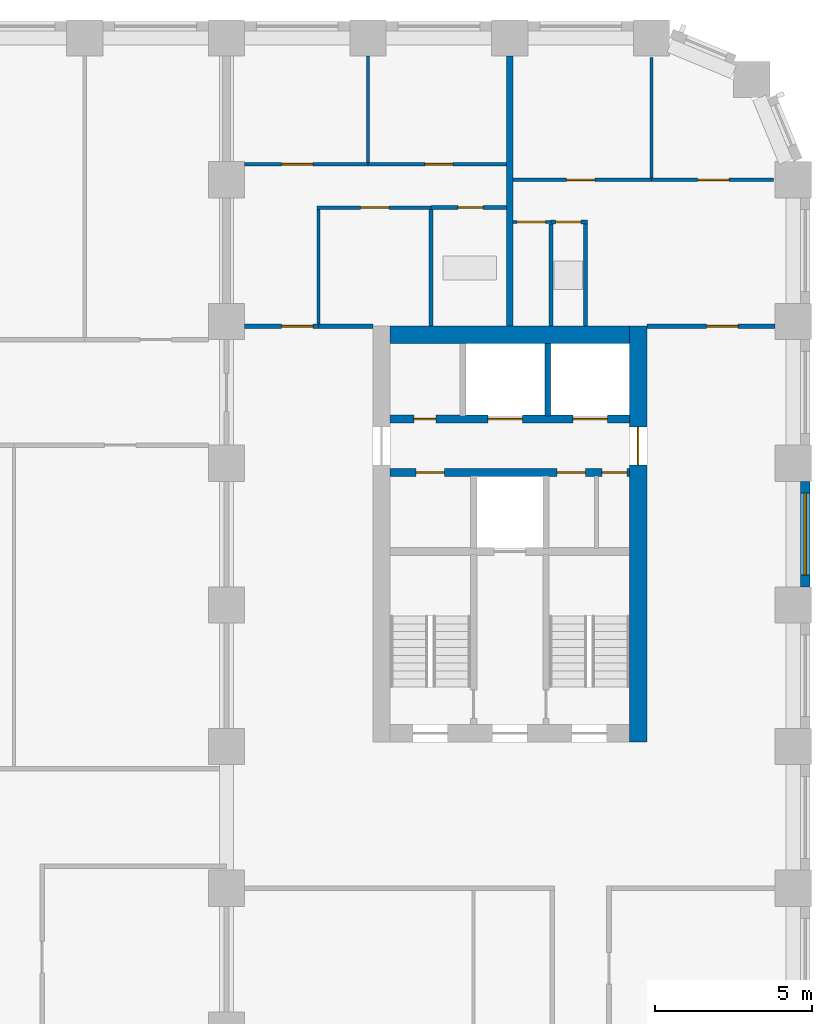
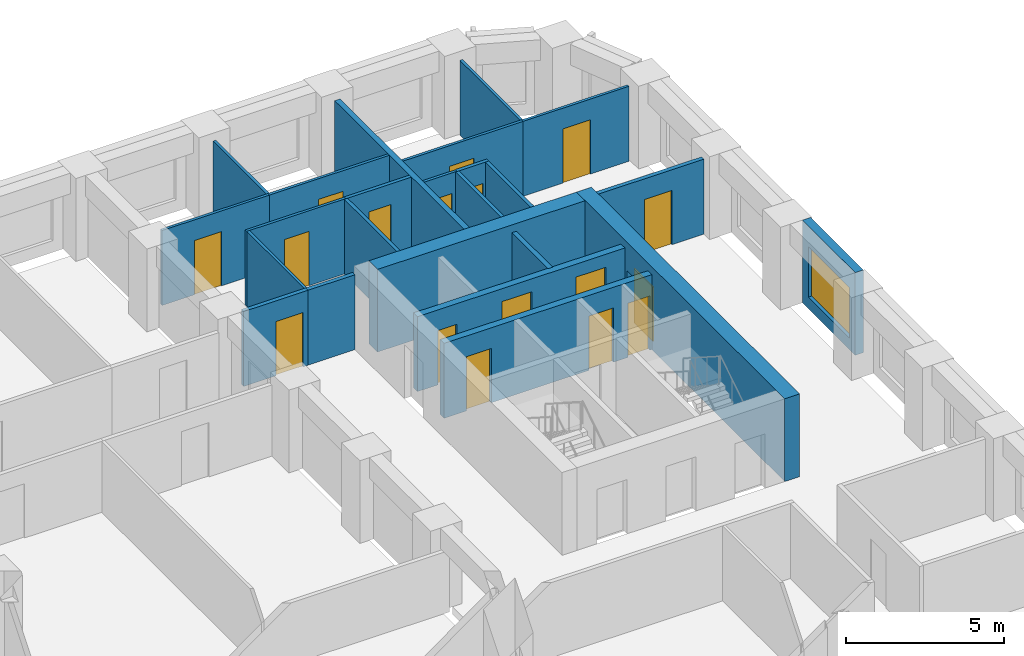
# One storey, part 8 of 12: 24 walls, 17 doors, 1 window, 18 openings.
"""IFC4 building model written with IfcOpenShell, lengths in metres."""

from ifc_helpers import new_model, si_unit, direction, frame, frame_2d, origin, place, context, subcontext, project, spatial, rectangle, extrude, material, layer, layer_set, type_object, element, fill, save


model = new_model("IFC4")

# Units and contexts
model_context = context("Model", 3, precision=1e-05, world=origin(), true_north=direction((0.0, 1.0)))
body_context = subcontext(model_context, "Body", "Model", "MODEL_VIEW")
ifc_project = project(units=[si_unit("LENGTHUNIT", "METRE"), si_unit("AREAUNIT", "SQUARE_METRE"), si_unit("VOLUMEUNIT", "CUBIC_METRE"), si_unit("PLANEANGLEUNIT", "RADIAN"), si_unit("MASSUNIT", "GRAM", prefix="KILO")], contexts=[model_context])

# Site, building, storey
site_placement = place(None, origin())
site = spatial("IfcSite", under=ifc_project, at=site_placement, CompositionType="ELEMENT")
building_placement = place(site_placement, origin())
building = spatial("IfcBuilding", under=site, at=building_placement, Name="Girih Gate Residences", CompositionType="ELEMENT")
storey_placement = place(building_placement, frame((0.0, 0.0, 118.39990234375)))
storey = spatial("IfcBuildingStorey", under=building, at=storey_placement, Name="L33", CompositionType="ELEMENT", Elevation=118.39990234375)

# Wall, opening, door
ifc_material_1 = material(Name="Gypsum board on steel studs", Category="steel")
ifc_layer_1 = layer(ifc_material_1, 0.14990234375)
ifc_layer_set_1 = layer_set([ifc_layer_1], Name="Compartment wall 150 mm")
wall_type_1 = type_object("IfcWallType", Name="Compartment wall 150 mm", PredefinedType="PARTITIONING", material=ifc_layer_set_1)
wall_1_placement = place(storey_placement, frame((44.85009765625, 40.35009765625, 0.0), z_axis=(0.0, 0.0, 1.0), x_axis=(1.0, 0.0, 0.0)))
wall_1 = element("IfcWall", 1, at=wall_1_placement, inside=storey, type_object=wall_type_1, Name="L33 partition", PredefinedType="PARTITIONING", context=body_context, shape_type="SweptSolid", body=[
    extrude(rectangle(XDim=4.074951171875, YDim=0.14990234375, at=frame_2d((2.03759765625, 0.0))), origin(), (0.0, 0.0, 1.0), 2.900146484375),
])
opening_1_placement = place(wall_1_placement, frame((1.89990234375, 0.0, 0.0)))
opening_1 = element("IfcOpeningElement", 2, at=opening_1_placement, cuts=wall_1, Name="Opening A33-028", PredefinedType="OPENING", context=body_context, shape_type="SweptSolid", body=[
    extrude(rectangle(XDim=1.0, YDim=2.10009765625, at=frame_2d((0.5, 1.050048828125))), frame((0.0, 0.0849609375, 0.0), z_axis=(0.0, -1.0, 0.0), x_axis=(1.0, 0.0, 0.0)), (0.0, 0.0, 1.0), 0.169921875),
])
ifc_material_2 = material(Name="Timber, fire-rated core", Category="wood")
door_type_1 = type_object("IfcDoorType", Name="Flat entrance door 1000x2100 FD30S", OperationType="NOTDEFINED", PredefinedType="DOOR", material=ifc_material_2)
door_1_placement = place(opening_1_placement, origin())
door_1 = element("IfcDoor", 3, at=door_1_placement, inside=storey, type_object=door_type_1, Name="Door A33-028", OperationType="SINGLE_SWING_RIGHT", OverallHeight=2.10009765625, OverallWidth=1.0, PredefinedType="DOOR", context=body_context, shape_type="SweptSolid", body=[
    extrude(rectangle(XDim=1.0, YDim=2.10009765625, at=frame_2d((0.5, 1.050048828125))), frame((0.0, 0.02490234375, 0.0), z_axis=(0.0, -1.0, 0.0), x_axis=(1.0, 0.0, 0.0)), (0.0, 0.0, 1.0), 0.050048828125),
])
fill(opening_1, door_1)

wall_2_placement = place(storey_placement, frame((32.074951171875, 40.35009765625, 0.0), z_axis=(0.0, 0.0, 1.0), x_axis=(1.0, 0.0, 0.0)))
wall_2 = element("IfcWall", 4, at=wall_2_placement, inside=storey, type_object=wall_type_1, Name="L33 partition", PredefinedType="PARTITIONING", context=body_context, shape_type="SweptSolid", body=[
    extrude(rectangle(XDim=2.35009765625, YDim=0.14990234375, at=frame_2d((1.175048828125, 0.0))), origin(), (0.0, 0.0, 1.0), 2.900146484375),
])
opening_2_placement = place(wall_2_placement, frame((1.175048828125, 0.0, 0.0)))
opening_2 = element("IfcOpeningElement", 5, at=opening_2_placement, cuts=wall_2, Name="Opening A33-033", PredefinedType="OPENING", context=body_context, shape_type="SweptSolid", body=[
    extrude(rectangle(XDim=1.0, YDim=2.10009765625, at=frame_2d((0.5, 1.050048828125))), frame((0.0, 0.0849609375, 0.0), z_axis=(0.0, -1.0, 0.0), x_axis=(1.0, 0.0, 0.0)), (0.0, 0.0, 1.0), 0.169921875),
])
door_2_placement = place(opening_2_placement, origin())
door_2 = element("IfcDoor", 6, at=door_2_placement, inside=storey, type_object=door_type_1, Name="Door A33-033", OperationType="SINGLE_SWING_RIGHT", OverallHeight=2.10009765625, OverallWidth=1.0, PredefinedType="DOOR", context=body_context, shape_type="SweptSolid", body=[
    extrude(rectangle(XDim=1.0, YDim=2.10009765625, at=frame_2d((0.5, 1.050048828125))), frame((0.0, 0.02490234375, 0.0), z_axis=(0.0, -1.0, 0.0), x_axis=(1.0, 0.0, 0.0)), (0.0, 0.0, 1.0), 0.050048828125),
])
fill(opening_2, door_2)

# Walls
wall_3_placement = place(storey_placement, frame((34.425048828125, 40.35009765625, 0.0), z_axis=(0.0, 0.0, 1.0), x_axis=(1.0, 0.0, 0.0)))
element("IfcWall", 7, at=wall_3_placement, inside=storey, type_object=wall_type_1, Name="L33 partition", PredefinedType="PARTITIONING", context=body_context, shape_type="SweptSolid", body=[
    extrude(rectangle(XDim=1.724853515625, YDim=0.14990234375, at=frame_2d((0.8623046875, 0.0))), origin(), (0.0, 0.0, 1.0), 2.900146484375),
])
ifc_material_3 = material(Name="Concrete C60/75", Category="concrete")
ifc_layer_2 = layer(ifc_material_3, 0.550048828125)
ifc_layer_set_2 = layer_set([ifc_layer_2], Name="Core wall RC 550 Concrete C60/75")
wall_type_2 = type_object("IfcWallType", Name="Core wall RC 550 Concrete C60/75", PredefinedType="SOLIDWALL", material=ifc_layer_set_2)
wall_4_placement = place(storey_placement, frame((36.699951171875, 40.074951171875, 0.0), z_axis=(0.0, 0.0, 1.0), x_axis=(1.0, 0.0, 0.0)))
element("IfcWall", 8, at=wall_4_placement, inside=storey, type_object=wall_type_2, Name="Core wall E-N L33", PredefinedType="SOLIDWALL", context=body_context, shape_type="SweptSolid", body=[
    extrude(rectangle(XDim=7.60009765625, YDim=0.550048828125, at=frame_2d((3.800048828125, 0.0))), origin(), (0.0, 0.0, 1.0), 3.2001953125),
])

# Wall, opening, door
wall_5_placement = place(storey_placement, frame((44.574951171875, 27.14990234375, 0.0), z_axis=(0.0, 0.0, 1.0), x_axis=(0.0, 1.0, 0.0)))
wall_5 = element("IfcWall", 9, at=wall_5_placement, inside=storey, type_object=wall_type_2, Name="Core wall E-E L33", PredefinedType="SOLIDWALL", context=body_context, shape_type="SweptSolid", body=[
    extrude(rectangle(XDim=13.2001953125, YDim=0.550048828125, at=frame_2d((6.60009765625, 0.0))), origin(), (0.0, 0.0, 1.0), 3.2001953125),
])
opening_3_placement = place(wall_5_placement, frame((8.800048828125, 0.0, 0.0)))
opening_3 = element("IfcOpeningElement", 10, at=opening_3_placement, cuts=wall_5, Name="Opening D-L33-E-014", PredefinedType="OPENING", context=body_context, shape_type="SweptSolid", body=[
    extrude(rectangle(XDim=1.199951171875, YDim=2.10009765625, at=frame_2d((0.60009765625, 1.050048828125))), frame((0.0, 0.284912109375, 0.0), z_axis=(0.0, -1.0, 0.0), x_axis=(1.0, 0.0, 0.0)), (0.0, 0.0, 1.0), 0.570068359375),
])
ifc_material_4 = material(Name="Painted steel, fire-resisting", Category="steel")
door_type_2 = type_object("IfcDoorType", Name="Fire door 1200x2100", OperationType="SINGLE_SWING_LEFT", PredefinedType="DOOR", material=ifc_material_4)
door_3_placement = place(opening_3_placement, origin())
door_3 = element("IfcDoor", 11, at=door_3_placement, inside=storey, type_object=door_type_2, Name="L33 E core door ll-e", OperationType="SINGLE_SWING_LEFT", OverallHeight=2.10009765625, OverallWidth=1.199951171875, PredefinedType="DOOR", context=body_context, shape_type="SweptSolid", body=[
    extrude(rectangle(XDim=1.199951171875, YDim=2.10009765625, at=frame_2d((0.60009765625, 1.050048828125))), frame((0.0, 0.02490234375, 0.0), z_axis=(0.0, -1.0, 0.0), x_axis=(1.0, 0.0, 0.0)), (0.0, 0.0, 1.0), 0.050048828125),
])
fill(opening_3, door_3)

# Wall, openings, doors
ifc_material_5 = material(Name="Concrete C40/50", Category="concrete")
ifc_layer_3 = layer(ifc_material_5, 0.25)
ifc_layer_set_3 = layer_set([ifc_layer_3], Name="Lift shaft wall 250")
wall_type_3 = type_object("IfcWallType", Name="Lift shaft wall 250", PredefinedType="SOLIDWALL", material=ifc_layer_set_3)
wall_6_placement = place(storey_placement, frame((36.699951171875, 35.699951171875, 0.0), z_axis=(0.0, 0.0, 1.0), x_axis=(1.0, 0.0, 0.0)))
wall_6 = element("IfcWall", 12, at=wall_6_placement, inside=storey, type_object=wall_type_3, Name="L33 E core wall H2", PredefinedType="SOLIDWALL", context=body_context, shape_type="SweptSolid", body=[
    extrude(rectangle(XDim=7.60009765625, YDim=0.25, at=frame_2d((3.800048828125, 0.0))), origin(), (0.0, 0.0, 1.0), 2.900146484375),
])
opening_4_placement = place(wall_6_placement, frame((6.72509765625, 0.0, 0.0)))
opening_4 = element("IfcOpeningElement", 13, at=opening_4_placement, cuts=wall_6, Name="Opening D-L33-E-007", PredefinedType="OPENING", context=body_context, shape_type="SweptSolid", body=[
    extrude(rectangle(XDim=0.800048828125, YDim=2.10009765625, at=frame_2d((0.39990234375, 1.050048828125))), frame((0.0, 0.135009765625, 0.0), z_axis=(0.0, -1.0, 0.0), x_axis=(1.0, 0.0, 0.0)), (0.0, 0.0, 1.0), 0.27001953125),
])
opening_5_placement = place(wall_6_placement, frame((5.300048828125, 0.0, 0.0)))
opening_5 = element("IfcOpeningElement", 14, at=opening_5_placement, cuts=wall_6, Name="Opening D-L33-E-008", PredefinedType="OPENING", context=body_context, shape_type="SweptSolid", body=[
    extrude(rectangle(XDim=0.89990234375, YDim=2.10009765625, at=frame_2d((0.449951171875, 1.050048828125))), frame((0.0, 0.135009765625, 0.0), z_axis=(0.0, -1.0, 0.0), x_axis=(1.0, 0.0, 0.0)), (0.0, 0.0, 1.0), 0.27001953125),
])
opening_6_placement = place(wall_6_placement, frame((0.824951171875, 0.0, 0.0)))
opening_6 = element("IfcOpeningElement", 15, at=opening_6_placement, cuts=wall_6, Name="Opening D-L33-E-009", PredefinedType="OPENING", context=body_context, shape_type="SweptSolid", body=[
    extrude(rectangle(XDim=0.89990234375, YDim=2.10009765625, at=frame_2d((0.449951171875, 1.050048828125))), frame((0.0, 0.135009765625, 0.0), z_axis=(0.0, -1.0, 0.0), x_axis=(1.0, 0.0, 0.0)), (0.0, 0.0, 1.0), 0.27001953125),
])
door_type_3 = type_object("IfcDoorType", Name="Fire door 800x2100", OperationType="SINGLE_SWING_LEFT", PredefinedType="DOOR", material=ifc_material_4)
door_4_placement = place(opening_4_placement, origin())
door_4 = element("IfcDoor", 16, at=door_4_placement, inside=storey, type_object=door_type_3, Name="L33 E pantry door", OperationType="SINGLE_SWING_LEFT", OverallHeight=2.10009765625, OverallWidth=0.800048828125, PredefinedType="DOOR", context=body_context, shape_type="SweptSolid", body=[
    extrude(rectangle(XDim=0.800048828125, YDim=2.10009765625, at=frame_2d((0.39990234375, 1.050048828125))), frame((0.0, 0.02490234375, 0.0), z_axis=(0.0, -1.0, 0.0), x_axis=(1.0, 0.0, 0.0)), (0.0, 0.0, 1.0), 0.050048828125),
])
fill(opening_4, door_4)
door_type_4 = type_object("IfcDoorType", Name="Fire door 900x2100", OperationType="SINGLE_SWING_LEFT", PredefinedType="DOOR", material=ifc_material_4)
door_5_placement = place(opening_5_placement, origin())
door_5 = element("IfcDoor", 17, at=door_5_placement, inside=storey, type_object=door_type_4, Name="L33 E housekeeping store door", OperationType="SINGLE_SWING_LEFT", OverallHeight=2.10009765625, OverallWidth=0.89990234375, PredefinedType="DOOR", context=body_context, shape_type="SweptSolid", body=[
    extrude(rectangle(XDim=0.89990234375, YDim=2.10009765625, at=frame_2d((0.449951171875, 1.050048828125))), frame((0.0, 0.02490234375, 0.0), z_axis=(0.0, -1.0, 0.0), x_axis=(1.0, 0.0, 0.0)), (0.0, 0.0, 1.0), 0.050048828125),
])
fill(opening_5, door_5)
door_6_placement = place(opening_6_placement, origin())
door_6 = element("IfcDoor", 18, at=door_6_placement, inside=storey, type_object=door_type_4, Name="L33 E comms room door", OperationType="SINGLE_SWING_LEFT", OverallHeight=2.10009765625, OverallWidth=0.89990234375, PredefinedType="DOOR", context=body_context, shape_type="SweptSolid", body=[
    extrude(rectangle(XDim=0.89990234375, YDim=2.10009765625, at=frame_2d((0.449951171875, 1.050048828125))), frame((0.0, 0.02490234375, 0.0), z_axis=(0.0, -1.0, 0.0), x_axis=(1.0, 0.0, 0.0)), (0.0, 0.0, 1.0), 0.050048828125),
])
fill(opening_6, door_6)

wall_7_placement = place(storey_placement, frame((36.699951171875, 37.39990234375, 0.0), z_axis=(0.0, 0.0, 1.0), x_axis=(1.0, 0.0, 0.0)))
wall_7 = element("IfcWall", 19, at=wall_7_placement, inside=storey, type_object=wall_type_3, Name="L33 E core wall H3", PredefinedType="SOLIDWALL", context=body_context, shape_type="SweptSolid", body=[
    extrude(rectangle(XDim=7.60009765625, YDim=0.25, at=frame_2d((3.800048828125, 0.0))), origin(), (0.0, 0.0, 1.0), 2.900146484375),
])
opening_7_placement = place(wall_7_placement, frame((5.800048828125, 0.0, 0.0)))
opening_7 = element("IfcOpeningElement", 20, at=opening_7_placement, cuts=wall_7, Name="Opening D-L33-E-003", PredefinedType="OPENING", context=body_context, shape_type="SweptSolid", body=[
    extrude(rectangle(XDim=1.10009765625, YDim=2.39990234375, at=frame_2d((0.550048828125, 1.199951171875))), frame((0.0, 0.135009765625, 0.0), z_axis=(0.0, -1.0, 0.0), x_axis=(1.0, 0.0, 0.0)), (0.0, 0.0, 1.0), 0.27001953125),
])
opening_8_placement = place(wall_7_placement, frame((3.10009765625, 0.0, 0.0)))
opening_8 = element("IfcOpeningElement", 21, at=opening_8_placement, cuts=wall_7, Name="Opening D-L33-E-004", PredefinedType="OPENING", context=body_context, shape_type="SweptSolid", body=[
    extrude(rectangle(XDim=1.10009765625, YDim=2.39990234375, at=frame_2d((0.550048828125, 1.199951171875))), frame((0.0, 0.135009765625, 0.0), z_axis=(0.0, -1.0, 0.0), x_axis=(1.0, 0.0, 0.0)), (0.0, 0.0, 1.0), 0.27001953125),
])
opening_9_placement = place(wall_7_placement, frame((0.75, 0.0, 0.0)))
opening_9 = element("IfcOpeningElement", 22, at=opening_9_placement, cuts=wall_7, Name="Opening D-L33-E-006", PredefinedType="OPENING", context=body_context, shape_type="SweptSolid", body=[
    extrude(rectangle(XDim=0.699951171875, YDim=2.10009765625, at=frame_2d((0.35009765625, 1.050048828125))), frame((0.0, 0.135009765625, 0.0), z_axis=(0.0, -1.0, 0.0), x_axis=(1.0, 0.0, 0.0)), (0.0, 0.0, 1.0), 0.27001953125),
])
ifc_material_6 = material(Name="Stainless steel", Category="steel")
door_type_5 = type_object("IfcDoorType", Name="Lift landing door 1100x2400", OperationType="SLIDING_TO_LEFT", PredefinedType="DOOR", material=ifc_material_6)
door_7_placement = place(opening_7_placement, origin())
door_7 = element("IfcDoor", 23, at=door_7_placement, inside=storey, type_object=door_type_5, Name="L33 lift LR-E1 landing door", OperationType="SLIDING_TO_LEFT", OverallHeight=2.39990234375, OverallWidth=1.10009765625, PredefinedType="DOOR", context=body_context, shape_type="SweptSolid", body=[
    extrude(rectangle(XDim=1.10009765625, YDim=2.39990234375, at=frame_2d((0.550048828125, 1.199951171875))), frame((0.0, 0.02490234375, 0.0), z_axis=(0.0, -1.0, 0.0), x_axis=(1.0, 0.0, 0.0)), (0.0, 0.0, 1.0), 0.050048828125),
])
fill(opening_7, door_7)
door_8_placement = place(opening_8_placement, origin())
door_8 = element("IfcDoor", 24, at=door_8_placement, inside=storey, type_object=door_type_5, Name="L33 lift LR-E2 landing door", OperationType="SLIDING_TO_LEFT", OverallHeight=2.39990234375, OverallWidth=1.10009765625, PredefinedType="DOOR", context=body_context, shape_type="SweptSolid", body=[
    extrude(rectangle(XDim=1.10009765625, YDim=2.39990234375, at=frame_2d((0.550048828125, 1.199951171875))), frame((0.0, 0.02490234375, 0.0), z_axis=(0.0, -1.0, 0.0), x_axis=(1.0, 0.0, 0.0)), (0.0, 0.0, 1.0), 0.050048828125),
])
fill(opening_8, door_8)
door_type_6 = type_object("IfcDoorType", Name="Riser access door 700x2100", OperationType="SINGLE_SWING_LEFT", PredefinedType="DOOR", material=ifc_material_4)
door_9_placement = place(opening_9_placement, origin())
door_9 = element("IfcDoor", 25, at=door_9_placement, inside=storey, type_object=door_type_6, Name="L33 E riser room door", OperationType="SINGLE_SWING_LEFT", OverallHeight=2.10009765625, OverallWidth=0.699951171875, PredefinedType="DOOR", context=body_context, shape_type="SweptSolid", body=[
    extrude(rectangle(XDim=0.699951171875, YDim=2.10009765625, at=frame_2d((0.35009765625, 1.050048828125))), frame((0.0, 0.02490234375, 0.0), z_axis=(0.0, -1.0, 0.0), x_axis=(1.0, 0.0, 0.0)), (0.0, 0.0, 1.0), 0.050048828125),
])
fill(opening_9, door_9)

# Wall, opening, door
ifc_layer_4 = layer(ifc_material_1, 0.10009765625)
ifc_layer_set_4 = layer_set([ifc_layer_4], Name="Partition 100 mm")
wall_type_4 = type_object("IfcWallType", Name="Partition 100 mm", PredefinedType="PARTITIONING", material=ifc_layer_set_4)
wall_8_placement = place(storey_placement, frame((40.60009765625, 45.0, 0.0), z_axis=(0.0, 0.0, 1.0), x_axis=(1.0, 0.0, 0.0)))
wall_8 = element("IfcWall", 26, at=wall_8_placement, inside=storey, type_object=wall_type_4, Name="L33 partition", PredefinedType="PARTITIONING", context=body_context, shape_type="SweptSolid", body=[
    extrude(rectangle(XDim=4.39990234375, YDim=0.10009765625, at=frame_2d((2.199951171875, 0.0))), origin(), (0.0, 0.0, 1.0), 2.900146484375),
])
opening_10_placement = place(wall_8_placement, frame((1.699951171875, 0.0, 0.0)))
opening_10 = element("IfcOpeningElement", 27, at=opening_10_placement, cuts=wall_8, Name="Opening A33-025", PredefinedType="OPENING", context=body_context, shape_type="SweptSolid", body=[
    extrude(rectangle(XDim=0.89990234375, YDim=2.10009765625, at=frame_2d((0.449951171875, 1.050048828125))), frame((0.0, 0.06005859375, 0.0), z_axis=(0.0, -1.0, 0.0), x_axis=(1.0, 0.0, 0.0)), (0.0, 0.0, 1.0), 0.1201171875),
])
ifc_material_7 = material(Name="Timber", Category="wood")
door_type_7 = type_object("IfcDoorType", Name="Bedroom door 900x2100", OperationType="NOTDEFINED", PredefinedType="DOOR", material=ifc_material_7)
door_10_placement = place(opening_10_placement, origin())
door_10 = element("IfcDoor", 28, at=door_10_placement, inside=storey, type_object=door_type_7, Name="Door A33-025", OperationType="SINGLE_SWING_LEFT", OverallHeight=2.10009765625, OverallWidth=0.89990234375, PredefinedType="DOOR", context=body_context, shape_type="SweptSolid", body=[
    extrude(rectangle(XDim=0.89990234375, YDim=2.10009765625, at=frame_2d((0.449951171875, 1.050048828125))), frame((0.0, 0.02490234375, 0.0), z_axis=(0.0, -1.0, 0.0), x_axis=(1.0, 0.0, 0.0)), (0.0, 0.0, 1.0), 0.050048828125),
])
fill(opening_10, door_10)

# Wall
wall_9_placement = place(storey_placement, frame((45.0, 45.050048828125, 0.0), z_axis=(0.0, 0.0, 1.0), x_axis=(0.0, 1.0, 0.0)))
element("IfcWall", 29, at=wall_9_placement, inside=storey, type_object=wall_type_4, Name="L33 partition", PredefinedType="PARTITIONING", context=body_context, shape_type="SweptSolid", body=[
    extrude(rectangle(XDim=3.82763671875, YDim=0.10009765625, at=frame_2d((1.913818359375, 0.0))), origin(), (0.0, 0.0, 1.0), 2.900146484375),
])

# Wall, opening, door
wall_10_placement = place(storey_placement, frame((41.80908203125, 43.659912109375, 0.0), z_axis=(0.0, 0.0, 1.0), x_axis=(-1.0, 0.0, 0.0)))
wall_10 = element("IfcWall", 30, at=wall_10_placement, inside=storey, type_object=wall_type_4, Name="L33 partition", PredefinedType="PARTITIONING", context=body_context, shape_type="SweptSolid", body=[
    extrude(rectangle(XDim=1.208984375, YDim=0.10009765625, at=frame_2d((0.6044921875, 0.0))), origin(), (0.0, 0.0, 1.0), 2.900146484375),
])
opening_11_placement = place(wall_10_placement, frame((0.17919921875, 0.0, 0.0)))
opening_11 = element("IfcOpeningElement", 31, at=opening_11_placement, cuts=wall_10, Name="Opening A33-026", PredefinedType="OPENING", context=body_context, shape_type="SweptSolid", body=[
    extrude(rectangle(XDim=0.89990234375, YDim=2.10009765625, at=frame_2d((0.449951171875, 1.050048828125))), frame((0.0, 0.06005859375, 0.0), z_axis=(0.0, -1.0, 0.0), x_axis=(1.0, 0.0, 0.0)), (0.0, 0.0, 1.0), 0.1201171875),
])
door_type_8 = type_object("IfcDoorType", Name="Kitchen door 900x2100", OperationType="NOTDEFINED", PredefinedType="DOOR", material=ifc_material_7)
door_11_placement = place(opening_11_placement, origin())
door_11 = element("IfcDoor", 32, at=door_11_placement, inside=storey, type_object=door_type_8, Name="Door A33-026", OperationType="SINGLE_SWING_RIGHT", OverallHeight=2.10009765625, OverallWidth=0.89990234375, PredefinedType="DOOR", context=body_context, shape_type="SweptSolid", body=[
    extrude(rectangle(XDim=0.89990234375, YDim=2.10009765625, at=frame_2d((0.449951171875, 1.050048828125))), frame((0.0, 0.02490234375, 0.0), z_axis=(0.0, -1.0, 0.0), x_axis=(1.0, 0.0, 0.0)), (0.0, 0.0, 1.0), 0.050048828125),
])
fill(opening_11, door_11)

wall_11_placement = place(storey_placement, frame((45.0, 45.0, 0.0), z_axis=(0.0, 0.0, 1.0), x_axis=(1.0, 0.0, 0.0)))
wall_11 = element("IfcWall", 33, at=wall_11_placement, inside=storey, type_object=wall_type_4, Name="L33 partition", PredefinedType="PARTITIONING", context=body_context, shape_type="SweptSolid", body=[
    extrude(rectangle(XDim=3.877685546875, YDim=0.10009765625, at=frame_2d((1.93896484375, 0.0))), origin(), (0.0, 0.0, 1.0), 2.900146484375),
])
opening_12_placement = place(wall_11_placement, frame((1.46240234375, 0.0, 0.0)))
opening_12 = element("IfcOpeningElement", 34, at=opening_12_placement, cuts=wall_11, Name="Opening A33-027", PredefinedType="OPENING", context=body_context, shape_type="SweptSolid", body=[
    extrude(rectangle(XDim=1.0, YDim=2.10009765625, at=frame_2d((0.5, 1.050048828125))), frame((0.0, 0.06005859375, 0.0), z_axis=(0.0, -1.0, 0.0), x_axis=(1.0, 0.0, 0.0)), (0.0, 0.0, 1.0), 0.1201171875),
])
door_type_9 = type_object("IfcDoorType", Name="Living room door 1000x2100", OperationType="NOTDEFINED", PredefinedType="DOOR", material=ifc_material_7)
door_12_placement = place(opening_12_placement, origin())
door_12 = element("IfcDoor", 35, at=door_12_placement, inside=storey, type_object=door_type_9, Name="Door A33-027", OperationType="SINGLE_SWING_RIGHT", OverallHeight=2.10009765625, OverallWidth=1.0, PredefinedType="DOOR", context=body_context, shape_type="SweptSolid", body=[
    extrude(rectangle(XDim=1.0, YDim=2.10009765625, at=frame_2d((0.5, 1.050048828125))), frame((0.0, 0.02490234375, 0.0), z_axis=(0.0, -1.0, 0.0), x_axis=(1.0, 0.0, 0.0)), (0.0, 0.0, 1.0), 0.050048828125),
])
fill(opening_12, door_12)

wall_12_placement = place(storey_placement, frame((36.0, 45.4951171875, 0.0), z_axis=(0.0, 0.0, 1.0), x_axis=(1.0, 0.0, 0.0)))
wall_12 = element("IfcWall", 36, at=wall_12_placement, inside=storey, type_object=wall_type_4, Name="L33 partition", PredefinedType="PARTITIONING", context=body_context, shape_type="SweptSolid", body=[
    extrude(rectangle(XDim=4.39990234375, YDim=0.10009765625, at=frame_2d((2.199951171875, 0.0))), origin(), (0.0, 0.0, 1.0), 2.900146484375),
])
opening_13_placement = place(wall_12_placement, frame((1.800048828125, 0.0, 0.0)))
opening_13 = element("IfcOpeningElement", 37, at=opening_13_placement, cuts=wall_12, Name="Opening A33-030", PredefinedType="OPENING", context=body_context, shape_type="SweptSolid", body=[
    extrude(rectangle(XDim=0.89990234375, YDim=2.10009765625, at=frame_2d((0.449951171875, 1.050048828125))), frame((0.0, 0.06005859375, 0.0), z_axis=(0.0, -1.0, 0.0), x_axis=(1.0, 0.0, 0.0)), (0.0, 0.0, 1.0), 0.1201171875),
])
door_13_placement = place(opening_13_placement, origin())
door_13 = element("IfcDoor", 38, at=door_13_placement, inside=storey, type_object=door_type_7, Name="Door A33-030", OperationType="SINGLE_SWING_RIGHT", OverallHeight=2.10009765625, OverallWidth=0.89990234375, PredefinedType="DOOR", context=body_context, shape_type="SweptSolid", body=[
    extrude(rectangle(XDim=0.89990234375, YDim=2.10009765625, at=frame_2d((0.449951171875, 1.050048828125))), frame((0.0, 0.02490234375, 0.0), z_axis=(0.0, -1.0, 0.0), x_axis=(1.0, 0.0, 0.0)), (0.0, 0.0, 1.0), 0.050048828125),
])
fill(opening_13, door_13)

# Wall
wall_13_placement = place(storey_placement, frame((36.0, 45.544921875, 0.0), z_axis=(0.0, 0.0, 1.0), x_axis=(0.0, 1.0, 0.0)))
element("IfcWall", 39, at=wall_13_placement, inside=storey, type_object=wall_type_4, Name="L33 partition", PredefinedType="PARTITIONING", context=body_context, shape_type="SweptSolid", body=[
    extrude(rectangle(XDim=3.380126953125, YDim=0.10009765625, at=frame_2d((1.68994140625, 0.0))), origin(), (0.0, 0.0, 1.0), 2.900146484375),
])

# Wall, opening, door
wall_14_placement = place(storey_placement, frame((37.99951171875, 44.114990234375, 0.0), z_axis=(0.0, 0.0, 1.0), x_axis=(-1.0, 0.0, 0.0)))
wall_14 = element("IfcWall", 40, at=wall_14_placement, inside=storey, type_object=wall_type_4, Name="L33 partition", PredefinedType="PARTITIONING", context=body_context, shape_type="SweptSolid", body=[
    extrude(rectangle(XDim=3.62451171875, YDim=0.10009765625, at=frame_2d((1.812255859375, 0.0))), origin(), (0.0, 0.0, 1.0), 2.900146484375),
])
opening_14_placement = place(wall_14_placement, frame((1.33740234375, 0.0, 0.0)))
opening_14 = element("IfcOpeningElement", 41, at=opening_14_placement, cuts=wall_14, Name="Opening A33-031", PredefinedType="OPENING", context=body_context, shape_type="SweptSolid", body=[
    extrude(rectangle(XDim=0.89990234375, YDim=2.10009765625, at=frame_2d((0.449951171875, 1.050048828125))), frame((0.0, 0.06005859375, 0.0), z_axis=(0.0, -1.0, 0.0), x_axis=(1.0, 0.0, 0.0)), (0.0, 0.0, 1.0), 0.1201171875),
])
door_14_placement = place(opening_14_placement, origin())
door_14 = element("IfcDoor", 42, at=door_14_placement, inside=storey, type_object=door_type_8, Name="Door A33-031", OperationType="SINGLE_SWING_LEFT", OverallHeight=2.10009765625, OverallWidth=0.89990234375, PredefinedType="DOOR", context=body_context, shape_type="SweptSolid", body=[
    extrude(rectangle(XDim=0.89990234375, YDim=2.10009765625, at=frame_2d((0.449951171875, 1.050048828125))), frame((0.0, 0.02490234375, 0.0), z_axis=(0.0, -1.0, 0.0), x_axis=(1.0, 0.0, 0.0)), (0.0, 0.0, 1.0), 0.050048828125),
])
fill(opening_14, door_14)

# Wall
wall_15_placement = place(storey_placement, frame((34.425048828125, 40.425048828125, 0.0), z_axis=(0.0, 0.0, 1.0), x_axis=(0.0, 1.0, 0.0)))
element("IfcWall", 43, at=wall_15_placement, inside=storey, type_object=wall_type_4, Name="L33 partition", PredefinedType="PARTITIONING", context=body_context, shape_type="SweptSolid", body=[
    extrude(rectangle(XDim=3.639892578125, YDim=0.10009765625, at=frame_2d((1.81982421875, 0.0))), origin(), (0.0, 0.0, 1.0), 2.900146484375),
])

# Wall, opening, door
wall_16_placement = place(storey_placement, frame((32.074951171875, 45.4951171875, 0.0), z_axis=(0.0, 0.0, 1.0), x_axis=(1.0, 0.0, 0.0)))
wall_16 = element("IfcWall", 44, at=wall_16_placement, inside=storey, type_object=wall_type_4, Name="L33 partition", PredefinedType="PARTITIONING", context=body_context, shape_type="SweptSolid", body=[
    extrude(rectangle(XDim=3.925048828125, YDim=0.10009765625, at=frame_2d((1.96240234375, 0.0))), origin(), (0.0, 0.0, 1.0), 2.900146484375),
])
opening_15_placement = place(wall_16_placement, frame((1.175048828125, 0.0, 0.0)))
opening_15 = element("IfcOpeningElement", 45, at=opening_15_placement, cuts=wall_16, Name="Opening A33-032", PredefinedType="OPENING", context=body_context, shape_type="SweptSolid", body=[
    extrude(rectangle(XDim=1.0, YDim=2.10009765625, at=frame_2d((0.5, 1.050048828125))), frame((0.0, 0.06005859375, 0.0), z_axis=(0.0, -1.0, 0.0), x_axis=(1.0, 0.0, 0.0)), (0.0, 0.0, 1.0), 0.1201171875),
])
door_15_placement = place(opening_15_placement, origin())
door_15 = element("IfcDoor", 46, at=door_15_placement, inside=storey, type_object=door_type_9, Name="Door A33-032", OperationType="SINGLE_SWING_LEFT", OverallHeight=2.10009765625, OverallWidth=1.0, PredefinedType="DOOR", context=body_context, shape_type="SweptSolid", body=[
    extrude(rectangle(XDim=1.0, YDim=2.10009765625, at=frame_2d((0.5, 1.050048828125))), frame((0.0, 0.02490234375, 0.0), z_axis=(0.0, -1.0, 0.0), x_axis=(1.0, 0.0, 0.0)), (0.0, 0.0, 1.0), 0.050048828125),
])
fill(opening_15, door_15)

# Wall
ifc_layer_5 = layer(ifc_material_1, 0.199951171875)
ifc_layer_set_5 = layer_set([ifc_layer_5], Name="Party wall 200 mm")
wall_type_5 = type_object("IfcWallType", Name="Party wall 200 mm", PredefinedType="PARTITIONING", material=ifc_layer_set_5)
wall_17_placement = place(storey_placement, frame((40.5, 40.35009765625, 0.0), z_axis=(0.0, 0.0, 1.0), x_axis=(0.0, 1.0, 0.0)))
element("IfcWall", 47, at=wall_17_placement, inside=storey, type_object=wall_type_5, Name="L33 partition", PredefinedType="PARTITIONING", context=body_context, shape_type="SweptSolid", body=[
    extrude(rectangle(XDim=8.574951171875, YDim=0.199951171875, at=frame_2d((4.28759765625, 0.0))), origin(), (0.0, 0.0, 1.0), 2.900146484375),
])

# Wall, opening, window
ifc_material_8 = material(Name="Precast concrete C50/60", Category="concrete")
ifc_layer_6 = layer(ifc_material_8, 0.080078125, Name="Outer leaf")
ifc_material_9 = material(Name="Rigid PIR insulation")
ifc_layer_7 = layer(ifc_material_9, 0.14990234375, Name="Insulation")
ifc_material_10 = material(Name="Precast concrete C40/50", Category="concrete")
ifc_layer_8 = layer(ifc_material_10, 0.070068359375, Name="Inner leaf")
ifc_layer_set_6 = layer_set([ifc_layer_6, ifc_layer_7, ifc_layer_8], Name="Precast concrete C50/60 external wall 300")
wall_type_6 = type_object("IfcWallType", Name="Precast concrete C50/60 external wall 300", PredefinedType="SOLIDWALL", material=ifc_layer_set_6)
wall_18_placement = place(storey_placement, frame((49.875, 35.425048828125, 0.0), z_axis=(0.0, 0.0, 1.0), x_axis=(0.0, -1.0, 0.0)))
wall_18 = element("IfcWall", 48, at=wall_18_placement, inside=storey, type_object=wall_type_6, Name="External wall E0495_0045.6", PredefinedType="SOLIDWALL", context=body_context, shape_type="SweptSolid", body=[
    extrude(rectangle(XDim=3.35009765625, YDim=0.300048828125, at=frame_2d((1.675048828125, 0.0))), origin(), (0.0, 0.0, 1.0), 3.2001953125),
])
opening_16_placement = place(wall_18_placement, frame((0.375, 0.0, 0.449951171875)))
opening_16 = element("IfcOpeningElement", 49, at=opening_16_placement, cuts=wall_18, Name="Opening W-1A", PredefinedType="OPENING", context=body_context, shape_type="SweptSolid", body=[
    extrude(rectangle(XDim=2.60009765625, YDim=1.949951171875, at=frame_2d((1.300048828125, 0.97509765625))), frame((0.0, 0.159912109375, 0.0), z_axis=(0.0, -1.0, 0.0), x_axis=(1.0, 0.0, 0.0)), (0.0, 0.0, 1.0), 0.320068359375),
])
ifc_material_11 = material(Name="Double glazing in aluminium frame", Category="aluminium")
window_type = type_object("IfcWindowType", Name="Window W-1A 2600x1950", PartitioningType="SINGLE_PANEL", PredefinedType="WINDOW", material=ifc_material_11)
window_placement = place(opening_16_placement, origin())
window = element("IfcWindow", 50, at=window_placement, inside=storey, type_object=window_type, Name="Window W-1A E0495_0045.6", OverallHeight=1.949951171875, OverallWidth=2.60009765625, PartitioningType="SINGLE_PANEL", PredefinedType="WINDOW", context=body_context, shape_type="SweptSolid", body=[
    extrude(rectangle(XDim=2.60009765625, YDim=1.949951171875, at=frame_2d((1.300048828125, 0.97509765625))), frame((0.0, 0.030029296875, 0.0), z_axis=(0.0, -1.0, 0.0), x_axis=(1.0, 0.0, 0.0)), (0.0, 0.0, 1.0), 0.06005859375),
])
fill(opening_16, window)

# Wall
ifc_layer_9 = layer(ifc_material_5, 0.175048828125)
ifc_layer_set_7 = layer_set([ifc_layer_9], Name="Riser shaft wall 175")
wall_type_7 = type_object("IfcWallType", Name="Riser shaft wall 175", PredefinedType="SOLIDWALL", material=ifc_layer_set_7)
wall_19_placement = place(storey_placement, frame((41.699951171875, 37.5, 0.0), z_axis=(0.0, 0.0, 1.0), x_axis=(0.0, 1.0, 0.0)))
element("IfcWall", 51, at=wall_19_placement, inside=storey, type_object=wall_type_7, Name="L33 E core wall V1c", PredefinedType="SOLIDWALL", context=body_context, shape_type="SweptSolid", body=[
    extrude(rectangle(XDim=2.300048828125, YDim=0.175048828125, at=frame_2d((1.14990234375, 0.0))), origin(), (0.0, 0.0, 1.0), 2.900146484375),
])

# Wall, opening, door
ifc_layer_10 = layer(ifc_material_1, 0.125)
ifc_layer_set_8 = layer_set([ifc_layer_10], Name="Wet room wall 125 mm")
wall_type_8 = type_object("IfcWallType", Name="Wet room wall 125 mm", PredefinedType="PARTITIONING", material=ifc_layer_set_8)
wall_20_placement = place(storey_placement, frame((42.96240234375, 43.659912109375, 0.0), z_axis=(0.0, 0.0, 1.0), x_axis=(-1.0, 0.0, 0.0)))
wall_20 = element("IfcWall", 52, at=wall_20_placement, inside=storey, type_object=wall_type_8, Name="L33 partition", PredefinedType="PARTITIONING", context=body_context, shape_type="SweptSolid", body=[
    extrude(rectangle(XDim=1.1533203125, YDim=0.125, at=frame_2d((0.57666015625, 0.0))), origin(), (0.0, 0.0, 1.0), 2.900146484375),
])
opening_17_placement = place(wall_20_placement, frame((0.2080078125, 0.0, 0.0)))
opening_17 = element("IfcOpeningElement", 53, at=opening_17_placement, cuts=wall_20, Name="Opening A33-024", PredefinedType="OPENING", context=body_context, shape_type="SweptSolid", body=[
    extrude(rectangle(XDim=0.800048828125, YDim=2.10009765625, at=frame_2d((0.39990234375, 1.050048828125))), frame((0.0, 0.072509765625, 0.0), z_axis=(0.0, -1.0, 0.0), x_axis=(1.0, 0.0, 0.0)), (0.0, 0.0, 1.0), 0.14501953125),
])
door_type_10 = type_object("IfcDoorType", Name="Bathroom door 800x2100", OperationType="NOTDEFINED", PredefinedType="DOOR", material=ifc_material_7)
door_16_placement = place(opening_17_placement, origin())
door_16 = element("IfcDoor", 54, at=door_16_placement, inside=storey, type_object=door_type_10, Name="Door A33-024", OperationType="SINGLE_SWING_RIGHT", OverallHeight=2.10009765625, OverallWidth=0.800048828125, PredefinedType="DOOR", context=body_context, shape_type="SweptSolid", body=[
    extrude(rectangle(XDim=0.800048828125, YDim=2.10009765625, at=frame_2d((0.39990234375, 1.050048828125))), frame((0.0, 0.02490234375, 0.0), z_axis=(0.0, -1.0, 0.0), x_axis=(1.0, 0.0, 0.0)), (0.0, 0.0, 1.0), 0.050048828125),
])
fill(opening_17, door_16)

# Walls
for number, where, z_axis, x_axis, name in (
    (55, (42.89990234375, 40.35009765625, 0.0), (0.0, 0.0, 1.0), (0.0, 1.0, 0.0), "L33 partition"),
    (56, (41.80908203125, 40.35009765625, 0.0), (0.0, 0.0, 1.0), (0.0, 1.0, 0.0), "L33 partition"),
):
    element("IfcWall", number, at=place(storey_placement, frame(where, z_axis=z_axis, x_axis=x_axis)), inside=storey, type_object=wall_type_8, Name=name, PredefinedType="PARTITIONING", context=body_context, shape_type="SweptSolid", body=[
        extrude(rectangle(XDim=3.247314453125, YDim=0.125, at=frame_2d((1.62353515625, 0.0))), origin(), (0.0, 0.0, 1.0), 2.900146484375),
    ])

# Wall, opening, door
wall_21_placement = place(storey_placement, frame((40.39990234375, 44.114990234375, 0.0), z_axis=(0.0, 0.0, 1.0), x_axis=(-1.0, 0.0, 0.0)))
wall_21 = element("IfcWall", 57, at=wall_21_placement, inside=storey, type_object=wall_type_8, Name="L33 partition", PredefinedType="PARTITIONING", context=body_context, shape_type="SweptSolid", body=[
    extrude(rectangle(XDim=2.400390625, YDim=0.125, at=frame_2d((1.2001953125, 0.0))), origin(), (0.0, 0.0, 1.0), 2.900146484375),
])
opening_18_placement = place(wall_21_placement, frame((0.750244140625, 0.0, 0.0)))
opening_18 = element("IfcOpeningElement", 58, at=opening_18_placement, cuts=wall_21, Name="Opening A33-029", PredefinedType="OPENING", context=body_context, shape_type="SweptSolid", body=[
    extrude(rectangle(XDim=0.800048828125, YDim=2.10009765625, at=frame_2d((0.39990234375, 1.050048828125))), frame((0.0, 0.072509765625, 0.0), z_axis=(0.0, -1.0, 0.0), x_axis=(1.0, 0.0, 0.0)), (0.0, 0.0, 1.0), 0.14501953125),
])
door_17_placement = place(opening_18_placement, origin())
door_17 = element("IfcDoor", 59, at=door_17_placement, inside=storey, type_object=door_type_10, Name="Door A33-029", OperationType="SINGLE_SWING_LEFT", OverallHeight=2.10009765625, OverallWidth=0.800048828125, PredefinedType="DOOR", context=body_context, shape_type="SweptSolid", body=[
    extrude(rectangle(XDim=0.800048828125, YDim=2.10009765625, at=frame_2d((0.39990234375, 1.050048828125))), frame((0.0, 0.02490234375, 0.0), z_axis=(0.0, -1.0, 0.0), x_axis=(1.0, 0.0, 0.0)), (0.0, 0.0, 1.0), 0.050048828125),
])
fill(opening_18, door_17)

# Wall
wall_22_placement = place(storey_placement, frame((38.0, 40.35009765625, 0.0), z_axis=(0.0, 0.0, 1.0), x_axis=(0.0, 1.0, 0.0)))
element("IfcWall", 60, at=wall_22_placement, inside=storey, type_object=wall_type_8, Name="L33 partition", PredefinedType="PARTITIONING", context=body_context, shape_type="SweptSolid", body=[
    extrude(rectangle(XDim=3.702392578125, YDim=0.125, at=frame_2d((1.85107421875, 0.0))), origin(), (0.0, 0.0, 1.0), 2.900146484375),
])

save(model, "model.ifc")
